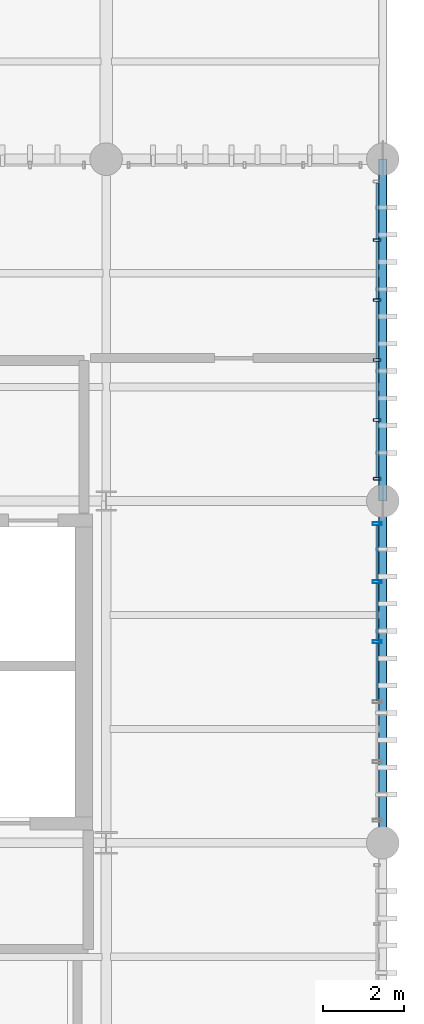
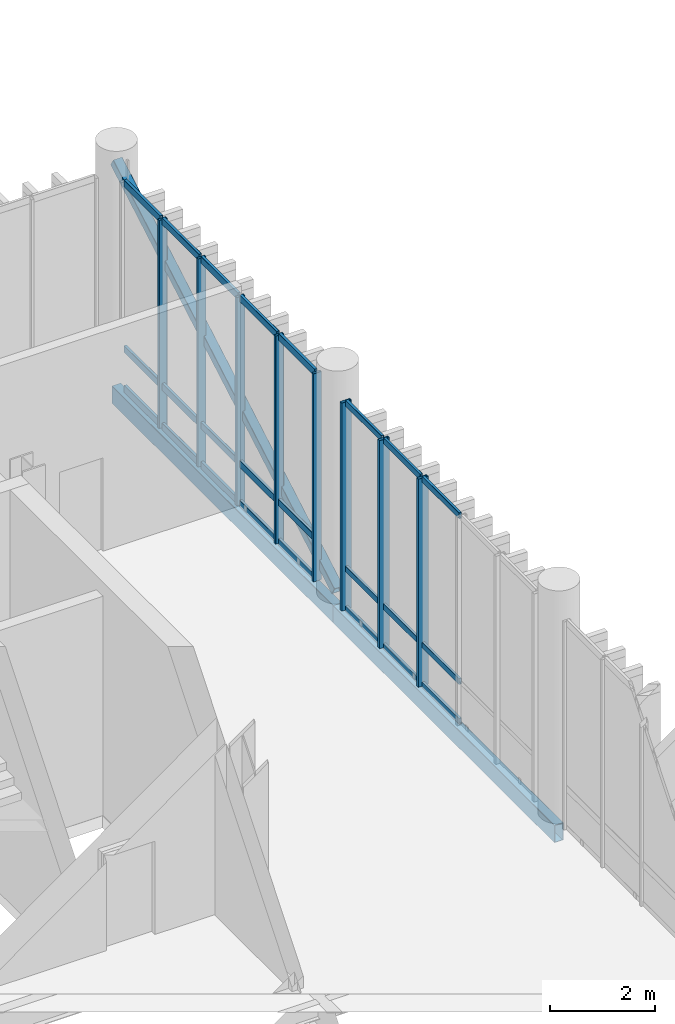
# One storey, part 85 of 128: 33 members, 2 beams, 2 elements without a shape of their own.
"""IFC4 building model written with IfcOpenShell, lengths in metres."""

from ifc_helpers import new_model, si_unit, direction, frame, origin_with_axes, origin_2d_with_axis, place, context, subcontext, project, spatial, hollow_rectangle, extrude, material, material_profile, profile_set, type_object, element, aggregate, save


model = new_model("IFC4")

# Units and contexts
model_context = context("Model", 3, precision=1e-05, world=origin_with_axes(), true_north=direction((0.0, 1.0)))
body_context = subcontext(model_context, "Body", "Model", "MODEL_VIEW")
ifc_project = project(units=[si_unit("LENGTHUNIT", "METRE"), si_unit("AREAUNIT", "SQUARE_METRE"), si_unit("VOLUMEUNIT", "CUBIC_METRE"), si_unit("PLANEANGLEUNIT", "RADIAN"), si_unit("MASSUNIT", "GRAM", prefix="KILO"), si_unit("THERMODYNAMICTEMPERATUREUNIT", "KELVIN")], contexts=[model_context])

# Site, building, storey
site_placement = place(None, origin_with_axes())
site = spatial("IfcSite", under=ifc_project, at=site_placement, CompositionType="ELEMENT")
building_placement = place(site_placement, origin_with_axes())
building = spatial("IfcBuilding", under=site, at=building_placement, Name="Montbau Bow Law Courts", CompositionType="ELEMENT")
storey_placement = place(building_placement, frame((0.0, 0.0, 5.4), z_axis=(0.0, 0.0, 1.0), x_axis=(1.0, 0.0, 0.0)))
storey = spatial("IfcBuildingStorey", under=building, at=storey_placement, Name="L01", CompositionType="ELEMENT", Elevation=5.4)

# Beams
ifc_material_1 = material(Name="Steel CSA G40.21 Grade 350WT (350 MPa)", Category="steel")
ifc_material_profile_1 = material_profile(ifc_material_1, hollow_rectangle(XDim=0.203, YDim=0.406, WallThickness=0.0127, InnerFilletRadius=0.0254, OuterFilletRadius=0.0127, at=origin_2d_with_axis()), Name="HSS406X203X13", Category="Main", Priority=0)
ifc_profile_set_1 = profile_set([ifc_material_profile_1], Name="Steel CSA G40.21 Grade 350WT (350 MPa)")
beam_type = type_object("IfcBeamType", Name="B-SPN-01", PredefinedType="SPANDREL", material=ifc_profile_set_1)
for number, where, z_axis, x_axis, name in (
    (1, (169.4, 86.4, 4.917), (0.0, 1.0, 0.0), (-1.0, 0.0, 0.0), "SPN-L01-S1161:bm2_1164"),
    (2, (169.4, 94.8, 4.917), (0.0, 1.0, 0.0), (-1.0, 0.0, 0.0), "SPN-L01-S1162:bm2_1165"),
):
    element("IfcBeam", number, at=place(None, frame(where, z_axis=z_axis, x_axis=x_axis)), inside=storey, type_object=beam_type, Name=name, PredefinedType="SPANDREL", context=body_context, shape_type="SweptSolid", body=[
        extrude(hollow_rectangle(XDim=0.203, YDim=0.406, WallThickness=0.0127, InnerFilletRadius=0.0254, OuterFilletRadius=0.0127, at=origin_2d_with_axis()), origin_with_axes(), (0.0, 0.0, 1.0), 8.4),
    ])

# Member
ifc_material_2 = material(Name="Steel CSA G40.21 Grade 350W (350 MPa)", Category="steel")
ifc_material_profile_2 = material_profile(ifc_material_2, hollow_rectangle(XDim=0.203, YDim=0.203, WallThickness=0.0111, InnerFilletRadius=0.0222, OuterFilletRadius=0.0111, at=origin_2d_with_axis()), Name="HSS203X203X11", Category="Main", Priority=0)
ifc_profile_set_2 = profile_set([ifc_material_profile_2], Name="Steel CSA G40.21 Grade 350W (350 MPa)")
member_type_1 = type_object("IfcMemberType", Name="M-BRC-02", PredefinedType="BRACE", material=ifc_profile_set_2)
member_1_placement = place(None, frame((169.4, 94.8, 5.45), z_axis=(0.0, 0.866147817, 0.499787913), x_axis=(-1.0, 0.0, 0.0)))
element("IfcMember", 3, at=member_1_placement, inside=storey, type_object=member_type_1, Name="Diagonal brace CBF-L01-074A", PredefinedType="BRACE", context=body_context, shape_type="SweptSolid", body=[
    extrude(hollow_rectangle(XDim=0.203, YDim=0.203, WallThickness=0.0111, InnerFilletRadius=0.0222, OuterFilletRadius=0.0111, at=origin_2d_with_axis()), origin_with_axes(), (0.0, 0.0, 1.0), 9.698114),
])

# Curtain wall, members
ifc_material_3 = material(Name="Thermally Broken Extruded Aluminium AA 6063-T6", Category="aluminium")
curtain_wall_type = type_object("IfcCurtainWallType", Name="CW-SLT-01", PredefinedType="NOTDEFINED", material=ifc_material_3)
curtain_wall_1_placement = place(None, frame((169.26, 86.915, 5.4), z_axis=(0.0, 0.0, 1.0), x_axis=(1.0, 0.0, 0.0)))
curtain_wall_1 = element("IfcCurtainWall", 4, at=curtain_wall_1_placement, inside=storey, type_object=curtain_wall_type, Name="CW-L01-291:cw_0291", PredefinedType="NOTDEFINED")
ifc_material_profile_3 = material_profile(ifc_material_3, hollow_rectangle(XDim=0.075, YDim=0.22, WallThickness=0.005, InnerFilletRadius=0.01, OuterFilletRadius=0.005, at=origin_2d_with_axis()), Name="CWM-220X75", Category="Main", Priority=0)
ifc_profile_set_3 = profile_set([ifc_material_profile_3], Name="Thermally Broken Extruded Aluminium AA 6063-T6")
member_type_2 = type_object("IfcMemberType", Name="M-MUL-01", PredefinedType="MULLION", material=ifc_profile_set_3)
member_2_placement = place(None, frame((169.26, 91.337, 5.4), z_axis=(0.0, 0.0, 1.0), x_axis=(0.0, 1.0, 0.0)))
member_2 = element("IfcMember", 5, at=member_2_placement, type_object=member_type_2, Name="CW-L01-291-M04:cw_0291_M04", PredefinedType="MULLION", context=body_context, shape_type="SweptSolid", body=[
    extrude(hollow_rectangle(XDim=0.075, YDim=0.22, WallThickness=0.005, InnerFilletRadius=0.01, OuterFilletRadius=0.005, at=origin_2d_with_axis()), origin_with_axes(), (0.0, 0.0, 1.0), 4.82),
])
member_3_placement = place(None, frame((169.26, 92.811, 5.4), z_axis=(0.0, 0.0, 1.0), x_axis=(0.0, 1.0, 0.0)))
member_3 = element("IfcMember", 6, at=member_3_placement, type_object=member_type_2, Name="CW-L01-291-M05:cw_0291_M05", PredefinedType="MULLION", context=body_context, shape_type="SweptSolid", body=[
    extrude(hollow_rectangle(XDim=0.075, YDim=0.22, WallThickness=0.005, InnerFilletRadius=0.01, OuterFilletRadius=0.005, at=origin_2d_with_axis()), origin_with_axes(), (0.0, 0.0, 1.0), 4.82),
])
member_4_placement = place(None, frame((169.26, 94.247, 5.4), z_axis=(0.0, 0.0, 1.0), x_axis=(0.0, 1.0, 0.0)))
member_4 = element("IfcMember", 7, at=member_4_placement, type_object=member_type_2, Name="CW-L01-291-M06:cw_0291_M06", PredefinedType="MULLION", context=body_context, shape_type="SweptSolid", body=[
    extrude(hollow_rectangle(XDim=0.075, YDim=0.22, WallThickness=0.005, InnerFilletRadius=0.01, OuterFilletRadius=0.005, at=origin_2d_with_axis()), origin_with_axes(), (0.0, 0.0, 1.0), 4.82),
])

curtain_wall_2_placement = place(None, frame((169.26, 95.315, 5.4), z_axis=(0.0, 0.0, 1.0), x_axis=(1.0, 0.0, 0.0)))
curtain_wall_2 = element("IfcCurtainWall", 8, at=curtain_wall_2_placement, inside=storey, type_object=curtain_wall_type, Name="CW-L01-292:cw_0292", PredefinedType="NOTDEFINED")
ifc_material_profile_4 = material_profile(ifc_material_3, hollow_rectangle(XDim=0.065, YDim=0.18, WallThickness=0.005, InnerFilletRadius=0.01, OuterFilletRadius=0.005, at=origin_2d_with_axis()), Name="CWM-180X65", Category="Main", Priority=0)
ifc_profile_set_4 = profile_set([ifc_material_profile_4], Name="Thermally Broken Extruded Aluminium AA 6063-T6")
member_type_3 = type_object("IfcMemberType", Name="M-MUL-02", PredefinedType="MULLION", material=ifc_profile_set_4)
member_5_placement = place(None, frame((169.26, 95.348, 5.4), z_axis=(0.0, 0.0, 1.0), x_axis=(0.0, 1.0, 0.0)))
member_5 = element("IfcMember", 9, at=member_5_placement, type_object=member_type_3, Name="CW-L01-292-M01:cw_0292_M01", PredefinedType="MULLION", context=body_context, shape_type="SweptSolid", body=[
    extrude(hollow_rectangle(XDim=0.065, YDim=0.18, WallThickness=0.005, InnerFilletRadius=0.01, OuterFilletRadius=0.005, at=origin_2d_with_axis()), origin_with_axes(), (0.0, 0.0, 1.0), 4.82),
])
member_6_placement = place(None, frame((169.26, 96.789, 5.4), z_axis=(0.0, 0.0, 1.0), x_axis=(0.0, 1.0, 0.0)))
member_6 = element("IfcMember", 10, at=member_6_placement, type_object=member_type_3, Name="CW-L01-292-M02:cw_0292_M02", PredefinedType="MULLION", context=body_context, shape_type="SweptSolid", body=[
    extrude(hollow_rectangle(XDim=0.065, YDim=0.18, WallThickness=0.005, InnerFilletRadius=0.01, OuterFilletRadius=0.005, at=origin_2d_with_axis()), origin_with_axes(), (0.0, 0.0, 1.0), 4.82),
])
member_7_placement = place(None, frame((169.26, 98.263, 5.4), z_axis=(0.0, 0.0, 1.0), x_axis=(0.0, 1.0, 0.0)))
member_7 = element("IfcMember", 11, at=member_7_placement, type_object=member_type_3, Name="CW-L01-292-M03:cw_0292_M03", PredefinedType="MULLION", context=body_context, shape_type="SweptSolid", body=[
    extrude(hollow_rectangle(XDim=0.065, YDim=0.18, WallThickness=0.005, InnerFilletRadius=0.01, OuterFilletRadius=0.005, at=origin_2d_with_axis()), origin_with_axes(), (0.0, 0.0, 1.0), 4.82),
])
member_8_placement = place(None, frame((169.26, 99.737, 5.4), z_axis=(0.0, 0.0, 1.0), x_axis=(0.0, 1.0, 0.0)))
member_8 = element("IfcMember", 12, at=member_8_placement, type_object=member_type_3, Name="CW-L01-292-M04:cw_0292_M04", PredefinedType="MULLION", context=body_context, shape_type="SweptSolid", body=[
    extrude(hollow_rectangle(XDim=0.065, YDim=0.18, WallThickness=0.005, InnerFilletRadius=0.01, OuterFilletRadius=0.005, at=origin_2d_with_axis()), origin_with_axes(), (0.0, 0.0, 1.0), 4.82),
])
member_9_placement = place(None, frame((169.26, 101.211, 5.4), z_axis=(0.0, 0.0, 1.0), x_axis=(0.0, 1.0, 0.0)))
member_9 = element("IfcMember", 13, at=member_9_placement, type_object=member_type_3, Name="CW-L01-292-M05:cw_0292_M05", PredefinedType="MULLION", context=body_context, shape_type="SweptSolid", body=[
    extrude(hollow_rectangle(XDim=0.065, YDim=0.18, WallThickness=0.005, InnerFilletRadius=0.01, OuterFilletRadius=0.005, at=origin_2d_with_axis()), origin_with_axes(), (0.0, 0.0, 1.0), 4.82),
])
ifc_material_profile_5 = material_profile(ifc_material_3, hollow_rectangle(XDim=0.06, YDim=0.16, WallThickness=0.004, InnerFilletRadius=0.008, OuterFilletRadius=0.004, at=origin_2d_with_axis()), Name="CWT-160X60", Category="Main", Priority=0)
ifc_profile_set_5 = profile_set([ifc_material_profile_5], Name="Thermally Broken Extruded Aluminium AA 6063-T6")
member_type_4 = type_object("IfcMemberType", Name="M-TRN-01", PredefinedType="USERDEFINED", material=ifc_profile_set_5)
member_10_placement = place(None, frame((169.26, 95.383, 5.43), z_axis=(0.0, 1.0, 0.0), x_axis=(-1.0, 0.0, 0.0)))
member_10 = element("IfcMember", 14, at=member_10_placement, type_object=member_type_4, Name="CW-L01-292-T01-1:cw_0292_T01_1", ObjectType="TRANSOM", PredefinedType="USERDEFINED", context=body_context, shape_type="SweptSolid", body=[
    extrude(hollow_rectangle(XDim=0.06, YDim=0.16, WallThickness=0.004, InnerFilletRadius=0.008, OuterFilletRadius=0.004, at=origin_2d_with_axis()), origin_with_axes(), (0.0, 0.0, 1.0), 1.372),
])
member_11_placement = place(None, frame((169.26, 95.383, 6.35), z_axis=(0.0, 1.0, 0.0), x_axis=(-1.0, 0.0, 0.0)))
member_11 = element("IfcMember", 15, at=member_11_placement, type_object=member_type_4, Name="CW-L01-292-T01-2:cw_0292_T01_2", ObjectType="TRANSOM", PredefinedType="USERDEFINED", context=body_context, shape_type="SweptSolid", body=[
    extrude(hollow_rectangle(XDim=0.06, YDim=0.16, WallThickness=0.004, InnerFilletRadius=0.008, OuterFilletRadius=0.004, at=origin_2d_with_axis()), origin_with_axes(), (0.0, 0.0, 1.0), 1.372),
])
member_12_placement = place(None, frame((169.26, 95.383, 10.19), z_axis=(0.0, 1.0, 0.0), x_axis=(-1.0, 0.0, 0.0)))
member_12 = element("IfcMember", 16, at=member_12_placement, type_object=member_type_4, Name="CW-L01-292-T01-3:cw_0292_T01_3", ObjectType="TRANSOM", PredefinedType="USERDEFINED", context=body_context, shape_type="SweptSolid", body=[
    extrude(hollow_rectangle(XDim=0.06, YDim=0.16, WallThickness=0.004, InnerFilletRadius=0.008, OuterFilletRadius=0.004, at=origin_2d_with_axis()), origin_with_axes(), (0.0, 0.0, 1.0), 1.372),
])
member_13_placement = place(None, frame((169.26, 96.823, 5.43), z_axis=(0.0, 1.0, 0.0), x_axis=(-1.0, 0.0, 0.0)))
member_13 = element("IfcMember", 17, at=member_13_placement, type_object=member_type_4, Name="CW-L01-292-T02-1:cw_0292_T02_1", ObjectType="TRANSOM", PredefinedType="USERDEFINED", context=body_context, shape_type="SweptSolid", body=[
    extrude(hollow_rectangle(XDim=0.06, YDim=0.16, WallThickness=0.004, InnerFilletRadius=0.008, OuterFilletRadius=0.004, at=origin_2d_with_axis()), origin_with_axes(), (0.0, 0.0, 1.0), 1.405),
])
member_14_placement = place(None, frame((169.26, 96.823, 6.35), z_axis=(0.0, 1.0, 0.0), x_axis=(-1.0, 0.0, 0.0)))
member_14 = element("IfcMember", 18, at=member_14_placement, type_object=member_type_4, Name="CW-L01-292-T02-2:cw_0292_T02_2", ObjectType="TRANSOM", PredefinedType="USERDEFINED", context=body_context, shape_type="SweptSolid", body=[
    extrude(hollow_rectangle(XDim=0.06, YDim=0.16, WallThickness=0.004, InnerFilletRadius=0.008, OuterFilletRadius=0.004, at=origin_2d_with_axis()), origin_with_axes(), (0.0, 0.0, 1.0), 1.405),
])
member_15_placement = place(None, frame((169.26, 96.823, 10.19), z_axis=(0.0, 1.0, 0.0), x_axis=(-1.0, 0.0, 0.0)))
member_15 = element("IfcMember", 19, at=member_15_placement, type_object=member_type_4, Name="CW-L01-292-T02-3:cw_0292_T02_3", ObjectType="TRANSOM", PredefinedType="USERDEFINED", context=body_context, shape_type="SweptSolid", body=[
    extrude(hollow_rectangle(XDim=0.06, YDim=0.16, WallThickness=0.004, InnerFilletRadius=0.008, OuterFilletRadius=0.004, at=origin_2d_with_axis()), origin_with_axes(), (0.0, 0.0, 1.0), 1.405),
])
member_16_placement = place(None, frame((169.26, 98.297, 5.43), z_axis=(0.0, 1.0, 0.0), x_axis=(-1.0, 0.0, 0.0)))
member_16 = element("IfcMember", 20, at=member_16_placement, type_object=member_type_4, Name="CW-L01-292-T03-1:cw_0292_T03_1", ObjectType="TRANSOM", PredefinedType="USERDEFINED", context=body_context, shape_type="SweptSolid", body=[
    extrude(hollow_rectangle(XDim=0.06, YDim=0.16, WallThickness=0.004, InnerFilletRadius=0.008, OuterFilletRadius=0.004, at=origin_2d_with_axis()), origin_with_axes(), (0.0, 0.0, 1.0), 1.406),
])
member_17_placement = place(None, frame((169.26, 98.297, 6.35), z_axis=(0.0, 1.0, 0.0), x_axis=(-1.0, 0.0, 0.0)))
member_17 = element("IfcMember", 21, at=member_17_placement, type_object=member_type_4, Name="CW-L01-292-T03-2:cw_0292_T03_2", ObjectType="TRANSOM", PredefinedType="USERDEFINED", context=body_context, shape_type="SweptSolid", body=[
    extrude(hollow_rectangle(XDim=0.06, YDim=0.16, WallThickness=0.004, InnerFilletRadius=0.008, OuterFilletRadius=0.004, at=origin_2d_with_axis()), origin_with_axes(), (0.0, 0.0, 1.0), 1.406),
])
member_18_placement = place(None, frame((169.26, 98.297, 10.19), z_axis=(0.0, 1.0, 0.0), x_axis=(-1.0, 0.0, 0.0)))
member_18 = element("IfcMember", 22, at=member_18_placement, type_object=member_type_4, Name="CW-L01-292-T03-3:cw_0292_T03_3", ObjectType="TRANSOM", PredefinedType="USERDEFINED", context=body_context, shape_type="SweptSolid", body=[
    extrude(hollow_rectangle(XDim=0.06, YDim=0.16, WallThickness=0.004, InnerFilletRadius=0.008, OuterFilletRadius=0.004, at=origin_2d_with_axis()), origin_with_axes(), (0.0, 0.0, 1.0), 1.406),
])
member_19_placement = place(None, frame((169.26, 99.771, 5.43), z_axis=(0.0, 1.0, 0.0), x_axis=(-1.0, 0.0, 0.0)))
member_19 = element("IfcMember", 23, at=member_19_placement, type_object=member_type_4, Name="CW-L01-292-T04-1:cw_0292_T04_1", ObjectType="TRANSOM", PredefinedType="USERDEFINED", context=body_context, shape_type="SweptSolid", body=[
    extrude(hollow_rectangle(XDim=0.06, YDim=0.16, WallThickness=0.004, InnerFilletRadius=0.008, OuterFilletRadius=0.004, at=origin_2d_with_axis()), origin_with_axes(), (0.0, 0.0, 1.0), 1.406),
])
member_20_placement = place(None, frame((169.26, 99.771, 6.35), z_axis=(0.0, 1.0, 0.0), x_axis=(-1.0, 0.0, 0.0)))
member_20 = element("IfcMember", 24, at=member_20_placement, type_object=member_type_4, Name="CW-L01-292-T04-2:cw_0292_T04_2", ObjectType="TRANSOM", PredefinedType="USERDEFINED", context=body_context, shape_type="SweptSolid", body=[
    extrude(hollow_rectangle(XDim=0.06, YDim=0.16, WallThickness=0.004, InnerFilletRadius=0.008, OuterFilletRadius=0.004, at=origin_2d_with_axis()), origin_with_axes(), (0.0, 0.0, 1.0), 1.406),
])
member_21_placement = place(None, frame((169.26, 99.771, 10.19), z_axis=(0.0, 1.0, 0.0), x_axis=(-1.0, 0.0, 0.0)))
member_21 = element("IfcMember", 25, at=member_21_placement, type_object=member_type_4, Name="CW-L01-292-T04-3:cw_0292_T04_3", ObjectType="TRANSOM", PredefinedType="USERDEFINED", context=body_context, shape_type="SweptSolid", body=[
    extrude(hollow_rectangle(XDim=0.06, YDim=0.16, WallThickness=0.004, InnerFilletRadius=0.008, OuterFilletRadius=0.004, at=origin_2d_with_axis()), origin_with_axes(), (0.0, 0.0, 1.0), 1.406),
])
member_22_placement = place(None, frame((169.26, 101.245, 5.43), z_axis=(0.0, 1.0, 0.0), x_axis=(-1.0, 0.0, 0.0)))
member_22 = element("IfcMember", 26, at=member_22_placement, type_object=member_type_4, Name="CW-L01-292-T05-1:cw_0292_T05_1", ObjectType="TRANSOM", PredefinedType="USERDEFINED", context=body_context, shape_type="SweptSolid", body=[
    extrude(hollow_rectangle(XDim=0.06, YDim=0.16, WallThickness=0.004, InnerFilletRadius=0.008, OuterFilletRadius=0.004, at=origin_2d_with_axis()), origin_with_axes(), (0.0, 0.0, 1.0), 1.374),
])
member_23_placement = place(None, frame((169.26, 101.245, 6.35), z_axis=(0.0, 1.0, 0.0), x_axis=(-1.0, 0.0, 0.0)))
member_23 = element("IfcMember", 27, at=member_23_placement, type_object=member_type_4, Name="CW-L01-292-T05-2:cw_0292_T05_2", ObjectType="TRANSOM", PredefinedType="USERDEFINED", context=body_context, shape_type="SweptSolid", body=[
    extrude(hollow_rectangle(XDim=0.06, YDim=0.16, WallThickness=0.004, InnerFilletRadius=0.008, OuterFilletRadius=0.004, at=origin_2d_with_axis()), origin_with_axes(), (0.0, 0.0, 1.0), 1.374),
])
member_24_placement = place(None, frame((169.26, 101.245, 10.19), z_axis=(0.0, 1.0, 0.0), x_axis=(-1.0, 0.0, 0.0)))
member_24 = element("IfcMember", 28, at=member_24_placement, type_object=member_type_4, Name="CW-L01-292-T05-3:cw_0292_T05_3", ObjectType="TRANSOM", PredefinedType="USERDEFINED", context=body_context, shape_type="SweptSolid", body=[
    extrude(hollow_rectangle(XDim=0.06, YDim=0.16, WallThickness=0.004, InnerFilletRadius=0.008, OuterFilletRadius=0.004, at=origin_2d_with_axis()), origin_with_axes(), (0.0, 0.0, 1.0), 1.374),
])
aggregate(curtain_wall_2, [member_5, member_6, member_7, member_8, member_9, member_10, member_11, member_12, member_13, member_14, member_15, member_16, member_17, member_18, member_19, member_20, member_21, member_22, member_23, member_24])

# Member
ifc_material_profile_6 = material_profile(ifc_material_3, hollow_rectangle(XDim=0.055, YDim=0.14, WallThickness=0.004, InnerFilletRadius=0.008, OuterFilletRadius=0.004, at=origin_2d_with_axis()), Name="CWT-140X55", Category="Main", Priority=0)
ifc_profile_set_6 = profile_set([ifc_material_profile_6], Name="Thermally Broken Extruded Aluminium AA 6063-T6")
member_type_5 = type_object("IfcMemberType", Name="M-TRN-02", PredefinedType="USERDEFINED", material=ifc_profile_set_6)
member_25_placement = place(None, frame((169.26, 89.902, 5.428), z_axis=(0.0, 1.0, 0.0), x_axis=(-1.0, 0.0, 0.0)))
member_25 = element("IfcMember", 29, at=member_25_placement, type_object=member_type_5, Name="CW-L01-291-T03-1:cw_0291_T03_1", ObjectType="TRANSOM", PredefinedType="USERDEFINED", context=body_context, shape_type="SweptSolid", body=[
    extrude(hollow_rectangle(XDim=0.055, YDim=0.14, WallThickness=0.004, InnerFilletRadius=0.008, OuterFilletRadius=0.004, at=origin_2d_with_axis()), origin_with_axes(), (0.0, 0.0, 1.0), 1.396),
])

member_26_placement = place(None, frame((169.26, 89.902, 6.35), z_axis=(0.0, 1.0, 0.0), x_axis=(-1.0, 0.0, 0.0)))
member_26 = element("IfcMember", 30, at=member_26_placement, type_object=member_type_5, Name="CW-L01-291-T03-2:cw_0291_T03_2", ObjectType="TRANSOM", PredefinedType="USERDEFINED", context=body_context, shape_type="SweptSolid", body=[
    extrude(hollow_rectangle(XDim=0.055, YDim=0.14, WallThickness=0.004, InnerFilletRadius=0.008, OuterFilletRadius=0.004, at=origin_2d_with_axis()), origin_with_axes(), (0.0, 0.0, 1.0), 1.396),
])

member_27_placement = place(None, frame((169.26, 89.902, 10.193), z_axis=(0.0, 1.0, 0.0), x_axis=(-1.0, 0.0, 0.0)))
member_27 = element("IfcMember", 31, at=member_27_placement, type_object=member_type_5, Name="CW-L01-291-T03-3:cw_0291_T03_3", ObjectType="TRANSOM", PredefinedType="USERDEFINED", context=body_context, shape_type="SweptSolid", body=[
    extrude(hollow_rectangle(XDim=0.055, YDim=0.14, WallThickness=0.004, InnerFilletRadius=0.008, OuterFilletRadius=0.004, at=origin_2d_with_axis()), origin_with_axes(), (0.0, 0.0, 1.0), 1.396),
])

member_28_placement = place(None, frame((169.26, 91.376, 5.428), z_axis=(0.0, 1.0, 0.0), x_axis=(-1.0, 0.0, 0.0)))
member_28 = element("IfcMember", 32, at=member_28_placement, type_object=member_type_5, Name="CW-L01-291-T04-1:cw_0291_T04_1", ObjectType="TRANSOM", PredefinedType="USERDEFINED", context=body_context, shape_type="SweptSolid", body=[
    extrude(hollow_rectangle(XDim=0.055, YDim=0.14, WallThickness=0.004, InnerFilletRadius=0.008, OuterFilletRadius=0.004, at=origin_2d_with_axis()), origin_with_axes(), (0.0, 0.0, 1.0), 1.396),
])

member_29_placement = place(None, frame((169.26, 91.376, 6.35), z_axis=(0.0, 1.0, 0.0), x_axis=(-1.0, 0.0, 0.0)))
member_29 = element("IfcMember", 33, at=member_29_placement, type_object=member_type_5, Name="CW-L01-291-T04-2:cw_0291_T04_2", ObjectType="TRANSOM", PredefinedType="USERDEFINED", context=body_context, shape_type="SweptSolid", body=[
    extrude(hollow_rectangle(XDim=0.055, YDim=0.14, WallThickness=0.004, InnerFilletRadius=0.008, OuterFilletRadius=0.004, at=origin_2d_with_axis()), origin_with_axes(), (0.0, 0.0, 1.0), 1.396),
])

member_30_placement = place(None, frame((169.26, 91.376, 10.193), z_axis=(0.0, 1.0, 0.0), x_axis=(-1.0, 0.0, 0.0)))
member_30 = element("IfcMember", 34, at=member_30_placement, type_object=member_type_5, Name="CW-L01-291-T04-3:cw_0291_T04_3", ObjectType="TRANSOM", PredefinedType="USERDEFINED", context=body_context, shape_type="SweptSolid", body=[
    extrude(hollow_rectangle(XDim=0.055, YDim=0.14, WallThickness=0.004, InnerFilletRadius=0.008, OuterFilletRadius=0.004, at=origin_2d_with_axis()), origin_with_axes(), (0.0, 0.0, 1.0), 1.396),
])

member_31_placement = place(None, frame((169.26, 92.85, 5.428), z_axis=(0.0, 1.0, 0.0), x_axis=(-1.0, 0.0, 0.0)))
member_31 = element("IfcMember", 35, at=member_31_placement, type_object=member_type_5, Name="CW-L01-291-T05-1:cw_0291_T05_1", ObjectType="TRANSOM", PredefinedType="USERDEFINED", context=body_context, shape_type="SweptSolid", body=[
    extrude(hollow_rectangle(XDim=0.055, YDim=0.14, WallThickness=0.004, InnerFilletRadius=0.008, OuterFilletRadius=0.004, at=origin_2d_with_axis()), origin_with_axes(), (0.0, 0.0, 1.0), 1.358),
])

member_32_placement = place(None, frame((169.26, 92.85, 6.35), z_axis=(0.0, 1.0, 0.0), x_axis=(-1.0, 0.0, 0.0)))
member_32 = element("IfcMember", 36, at=member_32_placement, type_object=member_type_5, Name="CW-L01-291-T05-2:cw_0291_T05_2", ObjectType="TRANSOM", PredefinedType="USERDEFINED", context=body_context, shape_type="SweptSolid", body=[
    extrude(hollow_rectangle(XDim=0.055, YDim=0.14, WallThickness=0.004, InnerFilletRadius=0.008, OuterFilletRadius=0.004, at=origin_2d_with_axis()), origin_with_axes(), (0.0, 0.0, 1.0), 1.358),
])

member_33_placement = place(None, frame((169.26, 92.85, 10.193), z_axis=(0.0, 1.0, 0.0), x_axis=(-1.0, 0.0, 0.0)))
member_33 = element("IfcMember", 37, at=member_33_placement, type_object=member_type_5, Name="CW-L01-291-T05-3:cw_0291_T05_3", ObjectType="TRANSOM", PredefinedType="USERDEFINED", context=body_context, shape_type="SweptSolid", body=[
    extrude(hollow_rectangle(XDim=0.055, YDim=0.14, WallThickness=0.004, InnerFilletRadius=0.008, OuterFilletRadius=0.004, at=origin_2d_with_axis()), origin_with_axes(), (0.0, 0.0, 1.0), 1.358),
])

aggregate(curtain_wall_1, [member_2, member_3, member_4, member_25, member_26, member_27, member_28, member_29, member_30, member_31, member_32, member_33])

save(model, "model.ifc")
